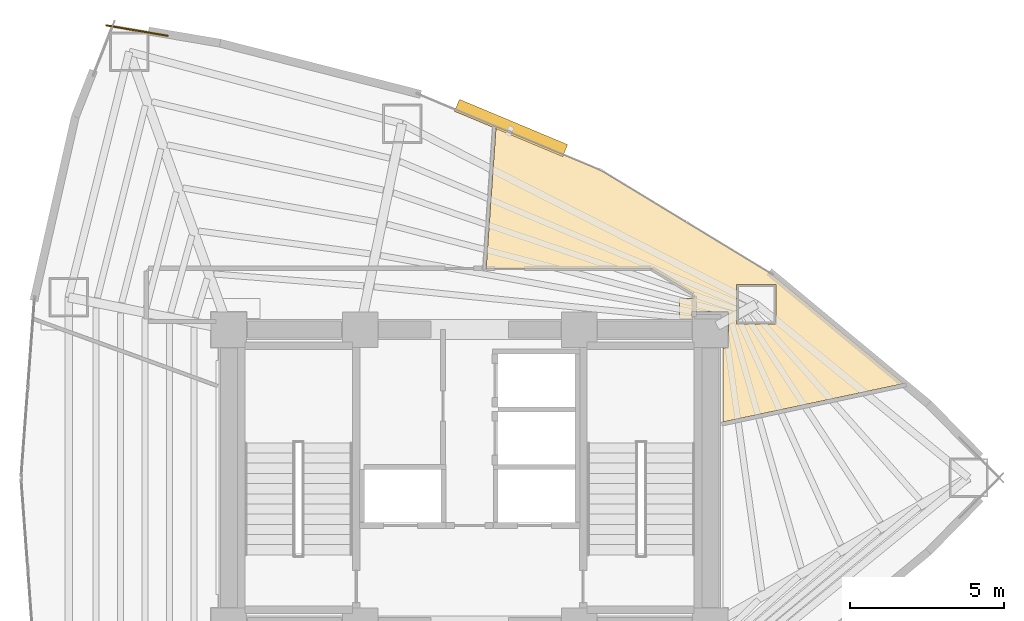
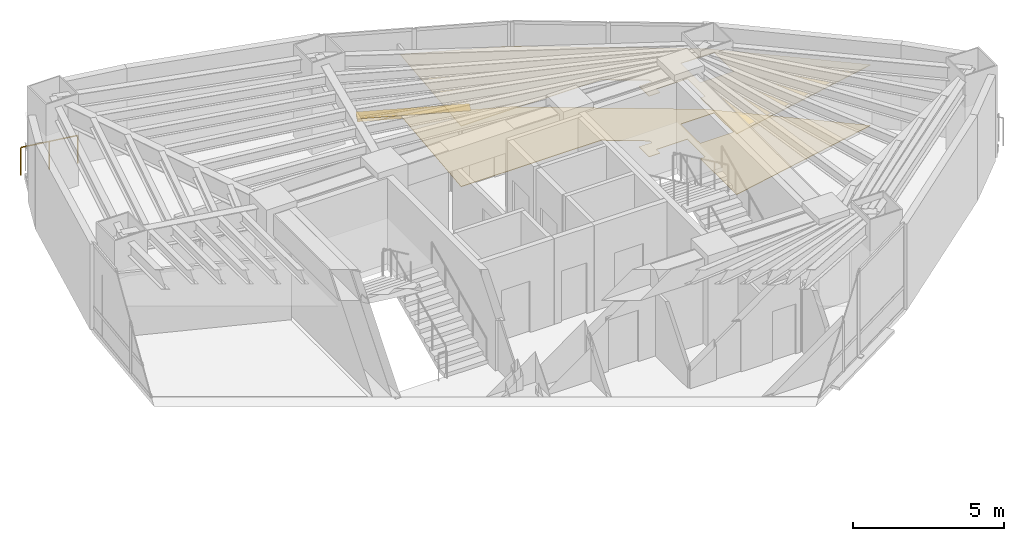
# One storey, part 19 of 19: 2 coverings, 1 railing, 1 shading device.
"""IFC4 building model written with IfcOpenShell, lengths in metres."""

from ifc_helpers import new_model, si_unit, direction, frame, origin, origin_2d, place, context, subcontext, project, spatial, polyline, rectangle, circle, outline, extrude, material, layer, layer_set, type_object, element, save


model = new_model("IFC4")

# Units and contexts
model_context = context("Model", 3, precision=1e-05, world=origin(), true_north=direction((0.0, 1.0)))
body_context = subcontext(model_context, "Body", "Model", "MODEL_VIEW")
ifc_project = project(units=[si_unit("LENGTHUNIT", "METRE"), si_unit("AREAUNIT", "SQUARE_METRE"), si_unit("VOLUMEUNIT", "CUBIC_METRE"), si_unit("PLANEANGLEUNIT", "RADIAN"), si_unit("MASSUNIT", "GRAM", prefix="KILO")], contexts=[model_context])

# Site, building, storey
site_placement = place(None, origin())
site = spatial("IfcSite", under=ifc_project, at=site_placement, CompositionType="ELEMENT")
building_placement = place(site_placement, origin())
building = spatial("IfcBuilding", under=site, at=building_placement, Name="Menara Vayukalpa", CompositionType="ELEMENT")
storey_placement = place(building_placement, frame((0.0, 0.0, 122.580078125)))
storey = spatial("IfcBuildingStorey", under=building, at=storey_placement, Name="L30", CompositionType="ELEMENT", Elevation=122.580078125)

# Coverings
ifc_material_1 = material(Name="Mineral Fibre Acoustic Ceiling Tile", Category="masonry")
ifc_layer_1 = layer(ifc_material_1, 0.02490234375)
ifc_layer_set_1 = layer_set([ifc_layer_1], Name="Mineral Fibre Acoustic Ceiling Tile")
covering_type_1 = type_object("IfcCoveringType", Name="COV-CLG1", PredefinedType="CEILING", material=ifc_layer_set_1)
covering_1_placement = place(storey_placement, frame((0.0, 0.0, 2.449951171875)))
element("IfcCovering", 1, at=covering_1_placement, inside=storey, type_object=covering_type_1, Name="L30 Executive Boardroom Acoustic Ceiling", PredefinedType="CEILING", context=body_context, shape_type="SweptSolid", body=[
    extrude(outline(polyline([(32.8701171875, 27.89111328125), (32.86962890625, 27.8984375), (32.868408203125, 27.905517578125), (32.86669921875, 27.912353515625), (32.8642578125, 27.919189453125), (32.861083984375, 27.925537109375), (32.857177734375, 27.931640625), (32.852783203125, 27.937255859375), (32.847900390625, 27.9423828125), (32.84228515625, 27.947021484375), (32.836181640625, 27.951171875), (31.505126953125, 28.759765625), (31.49951171875, 28.762939453125), (31.49365234375, 28.765380859375), (31.487548828125, 28.767333984375), (31.481201171875, 28.768798828125), (31.47509765625, 28.769775390625), (31.468505859375, 28.77001953125), (26.144287109375, 28.77001953125), (26.143310546875, 28.77001953125), (26.142333984375, 28.770263671875), (26.141357421875, 28.7705078125), (26.140380859375, 28.770751953125), (26.1396484375, 28.77099609375), (26.138916015625, 28.771484375), (26.137939453125, 28.772216796875), (26.13720703125, 28.772705078125), (26.13671875, 28.7734375), (26.135986328125, 28.7744140625), (26.135498046875, 28.775146484375), (26.135009765625, 28.77587890625), (26.134765625, 28.77685546875), (26.134521484375, 28.77783203125), (26.134521484375, 28.77880859375), (26.13427734375, 28.77978515625), (26.13427734375, 28.78076171875), (26.454345703125, 33.357177734375), (26.454345703125, 33.358154296875), (26.45458984375, 33.359130859375), (26.455078125, 33.360107421875), (26.455322265625, 33.36083984375), (26.455810546875, 33.36181640625), (26.45654296875, 33.362548828125), (26.45703125, 33.36328125), (26.457763671875, 33.364013671875), (26.45849609375, 33.364501953125), (26.45947265625, 33.365234375), (26.46044921875, 33.365478515625), (26.461181640625, 33.365966796875), (26.46240234375, 33.3662109375), (26.46337890625, 33.3662109375), (26.46435546875, 33.366455078125), (26.46533203125, 33.366455078125), (26.46630859375, 33.3662109375), (26.46728515625, 33.365966796875), (26.46826171875, 33.365478515625), (29.860595703125, 31.946533203125), (29.861328125, 31.9462890625), (29.862060546875, 31.94580078125), (35.379638671875, 28.593994140625), (35.380859375, 28.59326171875), (39.638916015625, 25.06201171875), (39.6396484375, 25.061279296875), (39.640380859375, 25.060546875), (39.640869140625, 25.059814453125), (39.641357421875, 25.05908203125), (39.641845703125, 25.05810546875), (39.64208984375, 25.05712890625), (39.642333984375, 25.056396484375), (39.642578125, 25.055419921875), (39.642578125, 25.05419921875), (39.642578125, 25.05322265625), (39.642333984375, 25.052490234375), (39.64208984375, 25.051513671875), (39.641845703125, 25.050537109375), (39.641357421875, 25.049560546875), (39.64111328125, 25.048828125), (39.640380859375, 25.048095703125), (39.6396484375, 25.04736328125), (39.638916015625, 25.046630859375), (39.63818359375, 25.0458984375), (39.637451171875, 25.04541015625), (39.636474609375, 25.045166015625), (39.635498046875, 25.044921875), (39.634765625, 25.04443359375), (33.822021484375, 23.80908203125), (33.821044921875, 23.808837890625), (33.820068359375, 23.808837890625), (33.819091796875, 23.808837890625), (33.818115234375, 23.80908203125), (33.817138671875, 23.80908203125), (33.81640625, 23.8095703125), (33.8154296875, 23.809814453125), (33.814453125, 23.810302734375), (33.813720703125, 23.81103515625), (33.81298828125, 23.811767578125), (33.812255859375, 23.8125), (33.811767578125, 23.813232421875), (33.811279296875, 23.814208984375), (33.810791015625, 23.81494140625), (33.810302734375, 23.81591796875), (33.810302734375, 23.81689453125), (33.81005859375, 23.81787109375), (33.81005859375, 23.81884765625), (33.81005859375, 26.2099609375), (33.989990234375, 26.2099609375), (33.989990234375, 27.389892578125), (32.81005859375, 27.389892578125), (32.81005859375, 27.14990234375), (32.389892578125, 27.14990234375), (32.389892578125, 27.81005859375), (32.8701171875, 27.81005859375), (32.8701171875, 27.89111328125)]), holes=[polyline([(35.52685546875, 26.981689453125), (35.52685546875, 28.26171875), (34.246826171875, 28.26171875), (34.246826171875, 26.981689453125), (35.52685546875, 26.981689453125)])]), origin(), (0.0, 0.0, 1.0), 0.02490234375),
])
ifc_material_2 = material(Name="Porcelain Stoneware Floor Tile", Category="masonry")
ifc_layer_2 = layer(ifc_material_2, 0.02001953125)
ifc_layer_set_2 = layer_set([ifc_layer_2], Name="Porcelain Stoneware Floor Tile")
covering_type_2 = type_object("IfcCoveringType", Name="COV-FLR1", PredefinedType="FLOORING", material=ifc_layer_set_2)
covering_2_placement = place(storey_placement, origin())
element("IfcCovering", 2, at=covering_2_placement, inside=storey, type_object=covering_type_2, Name="L30 Executive Boardroom Porcelain Flooring", PredefinedType="FLOORING", context=body_context, shape_type="SweptSolid", body=[
    extrude(outline(polyline([(32.8701171875, 27.89111328125), (32.86962890625, 27.8984375), (32.868408203125, 27.905517578125), (32.86669921875, 27.912353515625), (32.8642578125, 27.919189453125), (32.861083984375, 27.925537109375), (32.857177734375, 27.931640625), (32.852783203125, 27.937255859375), (32.847900390625, 27.9423828125), (32.84228515625, 27.947021484375), (32.836181640625, 27.951171875), (31.505126953125, 28.759765625), (31.49951171875, 28.762939453125), (31.49365234375, 28.765380859375), (31.487548828125, 28.767333984375), (31.481201171875, 28.768798828125), (31.47509765625, 28.769775390625), (31.468505859375, 28.77001953125), (26.144287109375, 28.77001953125), (26.143310546875, 28.77001953125), (26.142333984375, 28.770263671875), (26.141357421875, 28.7705078125), (26.140380859375, 28.770751953125), (26.1396484375, 28.77099609375), (26.138916015625, 28.771484375), (26.137939453125, 28.772216796875), (26.13720703125, 28.772705078125), (26.13671875, 28.7734375), (26.135986328125, 28.7744140625), (26.135498046875, 28.775146484375), (26.135009765625, 28.77587890625), (26.134765625, 28.77685546875), (26.134521484375, 28.77783203125), (26.134521484375, 28.77880859375), (26.13427734375, 28.77978515625), (26.13427734375, 28.78076171875), (26.454345703125, 33.357177734375), (26.454345703125, 33.358154296875), (26.45458984375, 33.359130859375), (26.455078125, 33.360107421875), (26.455322265625, 33.36083984375), (26.455810546875, 33.36181640625), (26.45654296875, 33.362548828125), (26.45703125, 33.36328125), (26.457763671875, 33.364013671875), (26.45849609375, 33.364501953125), (26.45947265625, 33.365234375), (26.46044921875, 33.365478515625), (26.461181640625, 33.365966796875), (26.46240234375, 33.3662109375), (26.46337890625, 33.3662109375), (26.46435546875, 33.366455078125), (26.46533203125, 33.366455078125), (26.46630859375, 33.3662109375), (26.46728515625, 33.365966796875), (26.46826171875, 33.365478515625), (29.860595703125, 31.946533203125), (29.861328125, 31.9462890625), (29.862060546875, 31.94580078125), (35.379638671875, 28.593994140625), (35.380859375, 28.59326171875), (39.638916015625, 25.06201171875), (39.6396484375, 25.061279296875), (39.640380859375, 25.060546875), (39.640869140625, 25.059814453125), (39.641357421875, 25.05908203125), (39.641845703125, 25.05810546875), (39.64208984375, 25.05712890625), (39.642333984375, 25.056396484375), (39.642578125, 25.055419921875), (39.642578125, 25.05419921875), (39.642578125, 25.05322265625), (39.642333984375, 25.052490234375), (39.64208984375, 25.051513671875), (39.641845703125, 25.050537109375), (39.641357421875, 25.049560546875), (39.64111328125, 25.048828125), (39.640380859375, 25.048095703125), (39.6396484375, 25.04736328125), (39.638916015625, 25.046630859375), (39.63818359375, 25.0458984375), (39.637451171875, 25.04541015625), (39.636474609375, 25.045166015625), (39.635498046875, 25.044921875), (39.634765625, 25.04443359375), (33.822021484375, 23.80908203125), (33.821044921875, 23.808837890625), (33.820068359375, 23.808837890625), (33.819091796875, 23.808837890625), (33.818115234375, 23.80908203125), (33.817138671875, 23.80908203125), (33.81640625, 23.8095703125), (33.8154296875, 23.809814453125), (33.814453125, 23.810302734375), (33.813720703125, 23.81103515625), (33.81298828125, 23.811767578125), (33.812255859375, 23.8125), (33.811767578125, 23.813232421875), (33.811279296875, 23.814208984375), (33.810791015625, 23.81494140625), (33.810302734375, 23.81591796875), (33.810302734375, 23.81689453125), (33.81005859375, 23.81787109375), (33.81005859375, 23.81884765625), (33.81005859375, 26.2099609375), (33.989990234375, 26.2099609375), (33.989990234375, 27.389892578125), (32.81005859375, 27.389892578125), (32.81005859375, 27.14990234375), (32.389892578125, 27.14990234375), (32.389892578125, 27.81005859375), (32.8701171875, 27.81005859375), (32.8701171875, 27.89111328125)]), holes=[polyline([(35.52685546875, 26.981689453125), (35.52685546875, 28.26171875), (34.246826171875, 28.26171875), (34.246826171875, 26.981689453125), (35.52685546875, 26.981689453125)])]), origin(), (0.0, 0.0, 1.0), 0.02001953125),
])

# Railing
ifc_material_3 = material(Name="Laminated Glass and Stainless Steel 316 Guardrail", Category="steel")
railing_type = type_object("IfcRailingType", Name="RLG-EXT115", PredefinedType="GUARDRAIL", material=ifc_material_3)
railing_placement = place(storey_placement, frame((15.818359375, 36.315673828125, 0.0)))
element("IfcRailing", 3, at=railing_placement, inside=storey, type_object=railing_type, Name="L30 Column Corner Spandrel Guardrail 07-1", PredefinedType="GUARDRAIL", context=body_context, shape_type="SweptSolid", body=[
    extrude(circle(Radius=0.02392578125, at=origin_2d()), frame((0.0, 0.0, 1.1259765625), z_axis=(-0.985895977605, 0.16735925831, 0.0), x_axis=(-0.16735925831, -0.985895977605, 0.0)), (0.0, 0.0, 1.0), 2.01904296875),
    extrude(circle(Radius=0.02099609375, at=origin_2d()), origin(), (0.0, 0.0, 1.0), 1.101806640625),
    extrude(circle(Radius=0.02099609375, at=origin_2d()), frame((-0.9951171875, 0.1689453125, 0.0)), (0.0, 0.0, 1.0), 1.101806640625),
    extrude(circle(Radius=0.02099609375, at=origin_2d()), frame((-1.990478515625, 0.337890625, 0.0)), (0.0, 0.0, 1.0), 1.101806640625),
])

# Shading device
ifc_material_4 = material(Name="Glazed Terracotta Ceramic Baguette Extrusion", Category="masonry")
ifc_layer_3 = layer(ifc_material_4, 0.1201171875)
ifc_layer_set_3 = layer_set([ifc_layer_3], Name="Glazed Terracotta Ceramic Baguette Extrusion")
shading_device_type = type_object("IfcShadingDeviceType", Name="SHD-SS1", PredefinedType="USERDEFINED", material=ifc_layer_set_3)
shading_device_placement = place(storey_placement, frame((26.940673828125, 33.33056640625, -0.10009765625), z_axis=(0.0, 0.0, 1.0), x_axis=(-0.922544824647, 0.385889940938, 0.0)))
element("IfcShadingDevice", 4, at=shading_device_placement, inside=storey, type_object=shading_device_type, Name="L30 Horizontal Terracotta Sunshade Band 05", ObjectType="SUNSHADE", PredefinedType="USERDEFINED", context=body_context, shape_type="SweptSolid", body=[
    extrude(rectangle(XDim=3.800048828125, YDim=0.419921875, at=origin_2d()), origin(), (0.0, 0.0, 1.0), 0.1201171875),
])

save(model, "model.ifc")
